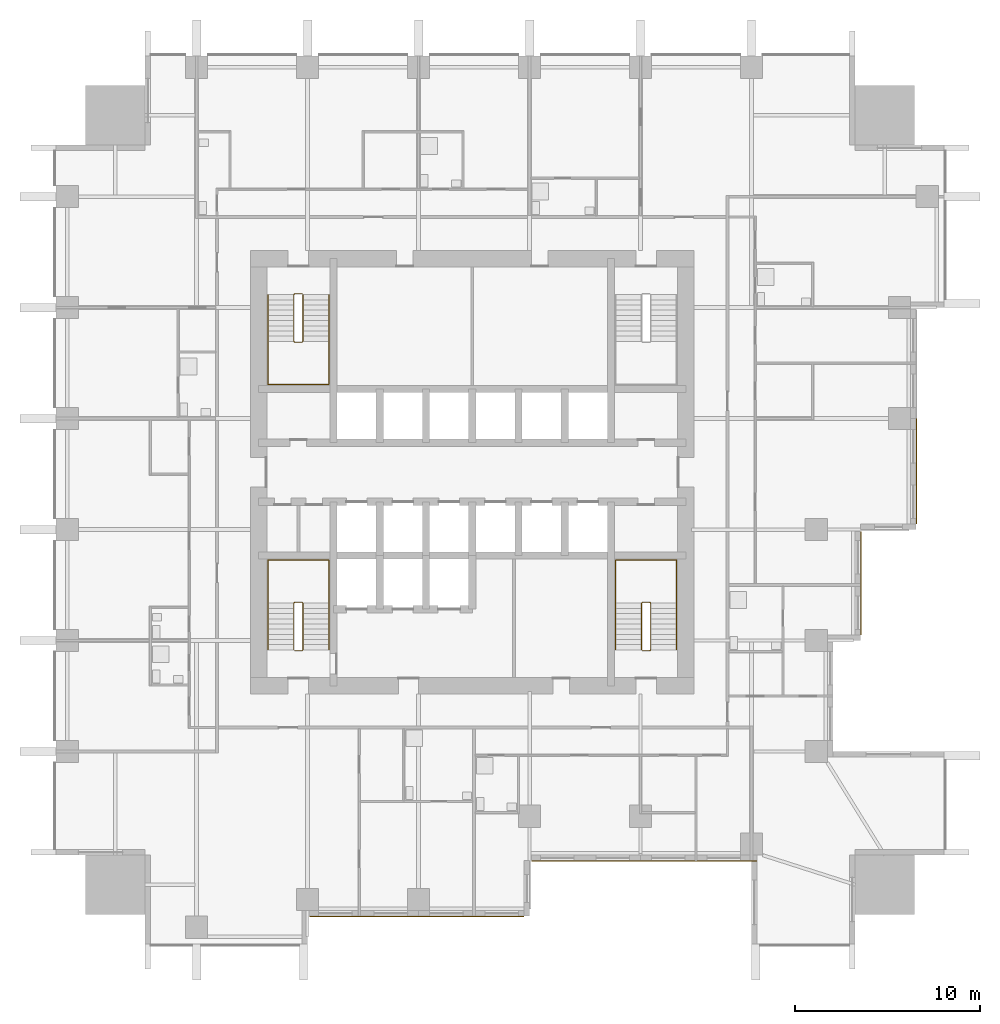
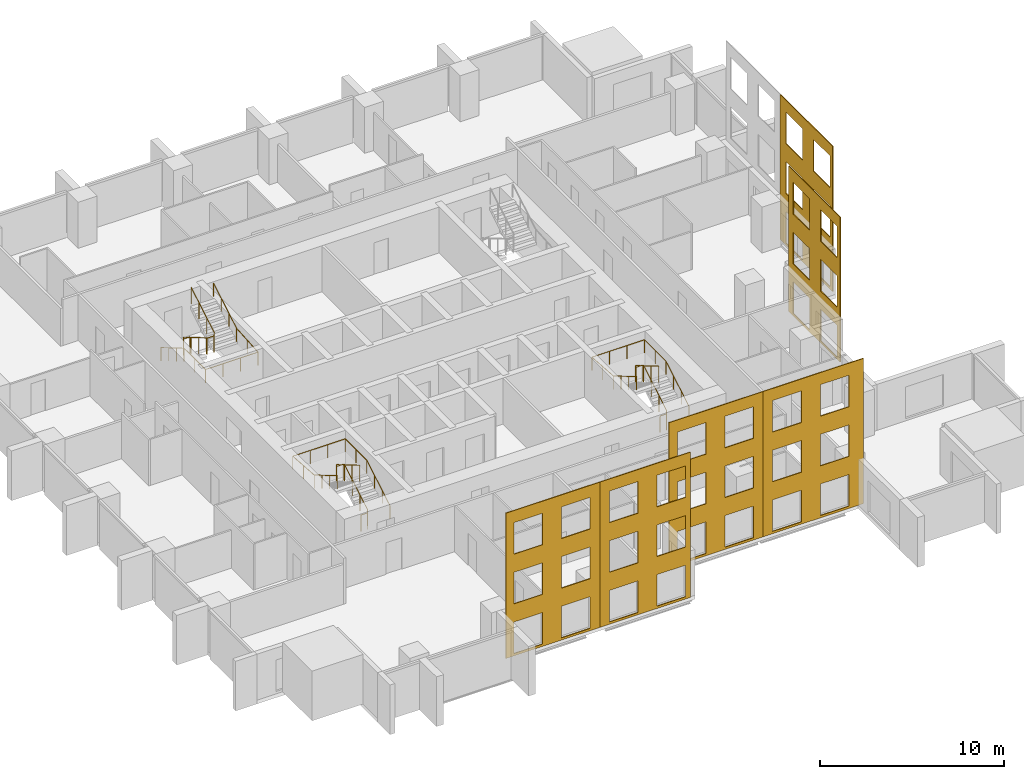
# One storey, part 9 of 11: 6 coverings, 6 railings.
"""IFC4 building model written with IfcOpenShell, lengths in metres."""

from ifc_helpers import new_model, si_unit, direction, frame, origin, origin_2d, place, context, subcontext, project, spatial, polyline, circle, outline, extrude, material, layer, layer_set, type_object, element, save


model = new_model("IFC4")

# Units and contexts
model_context = context("Model", 3, precision=1e-05, world=origin(), true_north=direction((0.0, 1.0)))
body_context = subcontext(model_context, "Body", "Model", "MODEL_VIEW")
ifc_project = project(units=[si_unit("LENGTHUNIT", "METRE"), si_unit("AREAUNIT", "SQUARE_METRE"), si_unit("VOLUMEUNIT", "CUBIC_METRE"), si_unit("PLANEANGLEUNIT", "RADIAN"), si_unit("MASSUNIT", "GRAM", prefix="KILO")], contexts=[model_context])

# Site, building, storey
site_placement = place(None, origin())
site = spatial("IfcSite", under=ifc_project, at=site_placement, CompositionType="ELEMENT")
building_placement = place(site_placement, origin())
building = spatial("IfcBuilding", under=site, at=building_placement, Name="Amberfall Residences", CompositionType="ELEMENT")
storey_placement = place(building_placement, frame((0.0, 0.0, 33.39990234375)))
storey = spatial("IfcBuildingStorey", under=building, at=storey_placement, Name="L08", CompositionType="ELEMENT", Elevation=33.39990234375)

# Coverings
ifc_material_1 = material(Name="Pale limestone cladding", Category="masonry")
ifc_layer = layer(ifc_material_1, 0.050048828125)
ifc_layer_set = layer_set([ifc_layer], Name="Limestone fascia 50")
covering_type = type_object("IfcCoveringType", Name="Limestone fascia 50", PredefinedType="CLADDING", material=ifc_layer_set)
covering_1_placement = place(storey_placement, frame((65.68994140625, 21.5, 9.650146484375), z_axis=(0.0, 1.0, 0.0), x_axis=(1.0, 0.0, 0.0)))
element("IfcCovering", 1, at=covering_1_placement, inside=storey, type_object=covering_type, Name="Pale limestone cladding L08-L10 S", PredefinedType="CLADDING", context=body_context, shape_type="SweptSolid", body=[
    extrude(outline(polyline([(0.0, 0.0), (5.91015625, 0.0), (5.91015625, 9.650146484375), (0.0, 9.650146484375), (0.0, 0.0)]), holes=[polyline([(0.510009765625, 7.400146484375), (2.31005859375, 7.400146484375), (2.31005859375, 9.5), (0.510009765625, 9.5), (0.510009765625, 7.400146484375)]), polyline([(3.510009765625, 7.400146484375), (5.31005859375, 7.400146484375), (5.31005859375, 9.5), (3.510009765625, 9.5), (3.510009765625, 7.400146484375)]), polyline([(0.510009765625, 4.10009765625), (2.31005859375, 4.10009765625), (2.31005859375, 6.199951171875), (0.510009765625, 6.199951171875), (0.510009765625, 4.10009765625)]), polyline([(3.510009765625, 4.10009765625), (5.31005859375, 4.10009765625), (5.31005859375, 6.199951171875), (3.510009765625, 6.199951171875), (3.510009765625, 4.10009765625)]), polyline([(0.510009765625, 0.800048828125), (2.31005859375, 0.800048828125), (2.31005859375, 2.900146484375), (0.510009765625, 2.900146484375), (0.510009765625, 0.800048828125)]), polyline([(3.510009765625, 0.800048828125), (5.31005859375, 0.800048828125), (5.31005859375, 2.900146484375), (3.510009765625, 2.900146484375), (3.510009765625, 0.800048828125)])]), origin(), (0.0, 0.0, -1.0), 0.050048828125),
])
covering_2_placement = place(storey_placement, frame((71.60009765625, 21.5, 9.650146484375), z_axis=(0.0, 1.0, 0.0), x_axis=(1.0, 0.0, 0.0)))
element("IfcCovering", 2, at=covering_2_placement, inside=storey, type_object=covering_type, Name="Pale limestone cladding L08-L10 S", PredefinedType="CLADDING", context=body_context, shape_type="SweptSolid", body=[
    extrude(outline(polyline([(0.0, 0.0), (5.699951171875, 0.0), (5.699951171875, 9.650146484375), (0.0, 9.650146484375), (0.0, 0.0)]), holes=[polyline([(0.599853515625, 7.400146484375), (2.39990234375, 7.400146484375), (2.39990234375, 9.5), (0.599853515625, 9.5), (0.599853515625, 7.400146484375)]), polyline([(3.599853515625, 7.400146484375), (5.39990234375, 7.400146484375), (5.39990234375, 9.5), (3.599853515625, 9.5), (3.599853515625, 7.400146484375)]), polyline([(0.599853515625, 4.10009765625), (2.39990234375, 4.10009765625), (2.39990234375, 6.199951171875), (0.599853515625, 6.199951171875), (0.599853515625, 4.10009765625)]), polyline([(3.599853515625, 4.10009765625), (5.39990234375, 4.10009765625), (5.39990234375, 6.199951171875), (3.599853515625, 6.199951171875), (3.599853515625, 4.10009765625)]), polyline([(0.599853515625, 0.800048828125), (2.39990234375, 0.800048828125), (2.39990234375, 2.900146484375), (0.599853515625, 2.900146484375), (0.599853515625, 0.800048828125)]), polyline([(3.599853515625, 0.800048828125), (5.39990234375, 0.800048828125), (5.39990234375, 2.900146484375), (3.599853515625, 2.900146484375), (3.599853515625, 0.800048828125)])]), origin(), (0.0, 0.0, -1.0), 0.050048828125),
])
covering_3_placement = place(storey_placement, frame((98.5, 42.699951171875, 9.650146484375), z_axis=(-1.0, 0.0, 0.0), x_axis=(0.0, 1.0, 0.0)))
element("IfcCovering", 3, at=covering_3_placement, inside=storey, type_object=covering_type, Name="Pale limestone cladding L08-L10 E", PredefinedType="CLADDING", context=body_context, shape_type="SweptSolid", body=[
    extrude(outline(polyline([(0.0, 0.0), (5.699951171875, 0.0), (5.699951171875, 9.650146484375), (0.0, 9.650146484375), (0.0, 0.0)]), holes=[polyline([(0.300048828125, 7.400146484375), (2.10009765625, 7.400146484375), (2.10009765625, 9.5), (0.300048828125, 9.5), (0.300048828125, 7.400146484375)]), polyline([(3.300048828125, 7.400146484375), (5.10009765625, 7.400146484375), (5.10009765625, 9.5), (3.300048828125, 9.5), (3.300048828125, 7.400146484375)]), polyline([(0.300048828125, 4.10009765625), (2.10009765625, 4.10009765625), (2.10009765625, 6.199951171875), (0.300048828125, 6.199951171875), (0.300048828125, 4.10009765625)]), polyline([(3.300048828125, 4.10009765625), (5.10009765625, 4.10009765625), (5.10009765625, 6.199951171875), (3.300048828125, 6.199951171875), (3.300048828125, 4.10009765625)]), polyline([(0.300048828125, 0.800048828125), (2.10009765625, 0.800048828125), (2.10009765625, 2.900146484375), (0.300048828125, 2.900146484375), (0.300048828125, 0.800048828125)]), polyline([(3.300048828125, 0.800048828125), (5.10009765625, 0.800048828125), (5.10009765625, 2.900146484375), (3.300048828125, 2.900146484375), (3.300048828125, 0.800048828125)])]), origin(), (0.0, 0.0, -1.0), 0.050048828125),
])
covering_4_placement = place(storey_placement, frame((77.68994140625, 24.5, 9.650146484375), z_axis=(0.0, 1.0, 0.0), x_axis=(1.0, 0.0, 0.0)))
element("IfcCovering", 4, at=covering_4_placement, inside=storey, type_object=covering_type, Name="Pale limestone cladding L08-L10 S", PredefinedType="CLADDING", context=body_context, shape_type="SweptSolid", body=[
    extrude(outline(polyline([(0.0, 0.0), (5.91015625, 0.0), (5.91015625, 9.650146484375), (0.0, 9.650146484375), (0.0, 0.0)]), holes=[polyline([(0.510009765625, 7.400146484375), (2.31005859375, 7.400146484375), (2.31005859375, 9.5), (0.510009765625, 9.5), (0.510009765625, 7.400146484375)]), polyline([(3.510009765625, 7.400146484375), (5.31005859375, 7.400146484375), (5.31005859375, 9.5), (3.510009765625, 9.5), (3.510009765625, 7.400146484375)]), polyline([(0.510009765625, 4.10009765625), (2.31005859375, 4.10009765625), (2.31005859375, 6.199951171875), (0.510009765625, 6.199951171875), (0.510009765625, 4.10009765625)]), polyline([(3.510009765625, 4.10009765625), (5.31005859375, 4.10009765625), (5.31005859375, 6.199951171875), (3.510009765625, 6.199951171875), (3.510009765625, 4.10009765625)]), polyline([(0.510009765625, 0.800048828125), (2.31005859375, 0.800048828125), (2.31005859375, 2.900146484375), (0.510009765625, 2.900146484375), (0.510009765625, 0.800048828125)]), polyline([(3.510009765625, 0.800048828125), (5.31005859375, 0.800048828125), (5.31005859375, 2.900146484375), (3.510009765625, 2.900146484375), (3.510009765625, 0.800048828125)])]), origin(), (0.0, 0.0, -1.0), 0.050048828125),
])
covering_5_placement = place(storey_placement, frame((83.60009765625, 24.5, 9.650146484375), z_axis=(0.0, 1.0, 0.0), x_axis=(1.0, 0.0, 0.0)))
element("IfcCovering", 5, at=covering_5_placement, inside=storey, type_object=covering_type, Name="Pale limestone cladding L08-L10 S", PredefinedType="CLADDING", context=body_context, shape_type="SweptSolid", body=[
    extrude(outline(polyline([(0.0, 0.0), (6.2998046875, 0.0), (6.2998046875, 9.650146484375), (0.0, 9.650146484375), (0.0, 0.0)]), holes=[polyline([(0.599853515625, 7.400146484375), (2.39990234375, 7.400146484375), (2.39990234375, 9.5), (0.599853515625, 9.5), (0.599853515625, 7.400146484375)]), polyline([(3.599853515625, 7.400146484375), (5.39990234375, 7.400146484375), (5.39990234375, 9.5), (3.599853515625, 9.5), (3.599853515625, 7.400146484375)]), polyline([(0.599853515625, 4.10009765625), (2.39990234375, 4.10009765625), (2.39990234375, 6.199951171875), (0.599853515625, 6.199951171875), (0.599853515625, 4.10009765625)]), polyline([(3.599853515625, 4.10009765625), (5.39990234375, 4.10009765625), (5.39990234375, 6.199951171875), (3.599853515625, 6.199951171875), (3.599853515625, 4.10009765625)]), polyline([(0.599853515625, 0.800048828125), (2.39990234375, 0.800048828125), (2.39990234375, 2.900146484375), (0.599853515625, 2.900146484375), (0.599853515625, 0.800048828125)]), polyline([(3.599853515625, 0.800048828125), (5.39990234375, 0.800048828125), (5.39990234375, 2.900146484375), (3.599853515625, 2.900146484375), (3.599853515625, 0.800048828125)])]), origin(), (0.0, 0.0, -1.0), 0.050048828125),
])
covering_6_placement = place(storey_placement, frame((95.5, 36.699951171875, 9.650146484375), z_axis=(-1.0, 0.0, 0.0), x_axis=(0.0, 1.0, 0.0)))
element("IfcCovering", 6, at=covering_6_placement, inside=storey, type_object=covering_type, Name="Pale limestone cladding L08-L10 E", PredefinedType="CLADDING", context=body_context, shape_type="SweptSolid", body=[
    extrude(outline(polyline([(0.0, 0.0), (5.610107421875, 0.0), (5.610107421875, 9.650146484375), (0.0, 9.650146484375), (0.0, 0.0)]), holes=[polyline([(0.300048828125, 7.400146484375), (2.10009765625, 7.400146484375), (2.10009765625, 9.5), (0.300048828125, 9.5), (0.300048828125, 7.400146484375)]), polyline([(3.300048828125, 7.400146484375), (5.10009765625, 7.400146484375), (5.10009765625, 9.5), (3.300048828125, 9.5), (3.300048828125, 7.400146484375)]), polyline([(0.300048828125, 4.10009765625), (2.10009765625, 4.10009765625), (2.10009765625, 6.199951171875), (0.300048828125, 6.199951171875), (0.300048828125, 4.10009765625)]), polyline([(3.300048828125, 4.10009765625), (5.10009765625, 4.10009765625), (5.10009765625, 6.199951171875), (3.300048828125, 6.199951171875), (3.300048828125, 4.10009765625)]), polyline([(0.300048828125, 0.800048828125), (2.10009765625, 0.800048828125), (2.10009765625, 2.900146484375), (0.300048828125, 2.900146484375), (0.300048828125, 0.800048828125)]), polyline([(3.300048828125, 0.800048828125), (5.10009765625, 0.800048828125), (5.10009765625, 2.900146484375), (3.300048828125, 2.900146484375), (3.300048828125, 0.800048828125)])]), origin(), (0.0, 0.0, -1.0), 0.050048828125),
])

# Railings
ifc_material_2 = material(Name="Stainless steel 316", Category="steel")
railing_type_1 = type_object("IfcRailingType", Name="Stair guard 1100", PredefinedType="GUARDRAIL", material=ifc_material_2)
railing_1_placement = place(storey_placement, frame((64.89990234375, 35.85009765625, 0.0)))
element("IfcRailing", 7, at=railing_1_placement, inside=storey, type_object=railing_type_1, Name="L08 stair 1 guard", PredefinedType="GUARDRAIL", context=body_context, shape_type="SweptSolid", body=[
    extrude(circle(Radius=0.02392578125, at=origin_2d()), frame((0.0, 0.0, 1.076171875), z_axis=(1.0, 0.0, 0.0), x_axis=(0.0, 1.0, 0.0)), (0.0, 0.0, 1.0), 0.400146484375),
    extrude(circle(Radius=0.02392578125, at=origin_2d()), frame((0.400146484375, 0.0, 1.076171875), z_axis=(0.278810427259, 0.277450376394, 0.919394384522), x_axis=(-0.705375805398, 0.708833529934, 0.0)), (0.0, 0.0, 1.0), 0.179443359375),
    extrude(circle(Radius=0.02392578125, at=origin_2d()), frame((0.4501953125, 0.0498046875, 1.2412109375), z_axis=(0.0, 0.86152411907, 0.507716645641), x_axis=(-1.0, 0.0, 0.0)), (0.0, 0.0, 1.0), 2.925048828125),
    extrude(circle(Radius=0.02392578125, at=origin_2d()), frame((0.4501953125, 2.56982421875, 2.72607421875), z_axis=(-0.707106781187, 0.707106781187, 0.0), x_axis=(-0.707106781187, -0.707106781187, 0.0)), (0.0, 0.0, 1.0), 0.07080078125),
    extrude(circle(Radius=0.02392578125, at=origin_2d()), frame((0.400146484375, 2.619873046875, 2.72607421875), z_axis=(-1.0, 0.0, 0.0), x_axis=(0.0, -1.0, 0.0)), (0.0, 0.0, 1.0), 0.400146484375),
    extrude(circle(Radius=0.02392578125, at=origin_2d()), frame((0.0, 2.619873046875, 2.72607421875), z_axis=(-0.277450376394, -0.278810427259, 0.919394384522), x_axis=(0.708833529934, -0.705375805398, 0.0)), (0.0, 0.0, 1.0), 0.179443359375),
    extrude(circle(Radius=0.02392578125, at=origin_2d()), frame((-0.0498046875, 2.56982421875, 2.89111328125), z_axis=(0.0, -0.861560626758, 0.507654692109), x_axis=(1.0, 0.0, 0.0)), (0.0, 0.0, 1.0), 2.925048828125),
    extrude(circle(Radius=0.02099609375, at=origin_2d()), origin(), (0.0, 0.0, 1.0), 1.052001953125),
    extrude(circle(Radius=0.02099609375, at=origin_2d()), frame((0.400146484375, 0.0, 0.0)), (0.0, 0.0, 1.0), 1.052001953125),
    extrude(circle(Radius=0.02099609375, at=origin_2d()), frame((0.4501953125, 0.0498046875, 0.1650390625)), (0.0, 0.0, 1.0), 1.052001953125),
    extrude(circle(Radius=0.02099609375, at=origin_2d()), frame((0.4501953125, 0.889892578125, 0.66015625)), (0.0, 0.0, 1.0), 1.052001953125),
    extrude(circle(Radius=0.02099609375, at=origin_2d()), frame((0.4501953125, 1.729736328125, 1.155029296875)), (0.0, 0.0, 1.0), 1.052001953125),
    extrude(circle(Radius=0.02099609375, at=origin_2d()), frame((0.4501953125, 2.56982421875, 1.650146484375)), (0.0, 0.0, 1.0), 1.052001953125),
    extrude(circle(Radius=0.02099609375, at=origin_2d()), frame((0.400146484375, 2.619873046875, 1.650146484375)), (0.0, 0.0, 1.0), 1.052001953125),
    extrude(circle(Radius=0.02099609375, at=origin_2d()), frame((0.0, 2.619873046875, 1.650146484375)), (0.0, 0.0, 1.0), 1.052001953125),
    extrude(circle(Radius=0.02099609375, at=origin_2d()), frame((-0.0498046875, 2.56982421875, 1.815185546875)), (0.0, 0.0, 1.0), 1.052001953125),
    extrude(circle(Radius=0.02099609375, at=origin_2d()), frame((-0.0498046875, 1.729736328125, 2.31005859375)), (0.0, 0.0, 1.0), 1.052001953125),
    extrude(circle(Radius=0.02099609375, at=origin_2d()), frame((-0.0498046875, 0.889892578125, 2.80517578125)), (0.0, 0.0, 1.0), 1.052001953125),
    extrude(circle(Radius=0.02099609375, at=origin_2d()), frame((-0.0498046875, 0.0498046875, 3.300048828125)), (0.0, 0.0, 1.0), 1.052001953125),
])
railing_2_placement = place(storey_placement, frame((83.699951171875, 35.85009765625, 0.0)))
element("IfcRailing", 8, at=railing_2_placement, inside=storey, type_object=railing_type_1, Name="L08 stair 2 guard", PredefinedType="GUARDRAIL", context=body_context, shape_type="SweptSolid", body=[
    extrude(circle(Radius=0.02392578125, at=origin_2d()), frame((0.0, 0.0, 1.076171875), z_axis=(1.0, 0.0, 0.0), x_axis=(0.0, 1.0, 0.0)), (0.0, 0.0, 1.0), 0.400146484375),
    extrude(circle(Radius=0.02392578125, at=origin_2d()), frame((0.400146484375, 0.0, 1.076171875), z_axis=(0.27755538755, 0.27755538755, 0.919742362667), x_axis=(-0.707106781187, 0.707106781187, 0.0)), (0.0, 0.0, 1.0), 0.179443359375),
    extrude(circle(Radius=0.02392578125, at=origin_2d()), frame((0.449951171875, 0.0498046875, 1.2412109375), z_axis=(0.0, 0.86152411907, 0.507716645641), x_axis=(-1.0, 0.0, 0.0)), (0.0, 0.0, 1.0), 2.925048828125),
    extrude(circle(Radius=0.02392578125, at=origin_2d()), frame((0.449951171875, 2.56982421875, 2.72607421875), z_axis=(-0.705375805398, 0.708833529934, 0.0), x_axis=(-0.708833529934, -0.705375805398, 0.0)), (0.0, 0.0, 1.0), 0.070556640625),
    extrude(circle(Radius=0.02392578125, at=origin_2d()), frame((0.400146484375, 2.619873046875, 2.72607421875), z_axis=(-1.0, 0.0, 0.0), x_axis=(0.0, -1.0, 0.0)), (0.0, 0.0, 1.0), 0.400146484375),
    extrude(circle(Radius=0.02392578125, at=origin_2d()), frame((0.0, 2.619873046875, 2.72607421875), z_axis=(-0.278705021027, -0.278705021027, 0.919046801044), x_axis=(0.707106781187, -0.707106781187, 0.0)), (0.0, 0.0, 1.0), 0.1796875),
    extrude(circle(Radius=0.02392578125, at=origin_2d()), frame((-0.050048828125, 2.56982421875, 2.89111328125), z_axis=(0.0, -0.861560626758, 0.507654692109), x_axis=(1.0, 0.0, 0.0)), (0.0, 0.0, 1.0), 2.925048828125),
    extrude(circle(Radius=0.02099609375, at=origin_2d()), origin(), (0.0, 0.0, 1.0), 1.052001953125),
    extrude(circle(Radius=0.02099609375, at=origin_2d()), frame((0.400146484375, 0.0, 0.0)), (0.0, 0.0, 1.0), 1.052001953125),
    extrude(circle(Radius=0.02099609375, at=origin_2d()), frame((0.449951171875, 0.0498046875, 0.1650390625)), (0.0, 0.0, 1.0), 1.052001953125),
    extrude(circle(Radius=0.02099609375, at=origin_2d()), frame((0.449951171875, 0.889892578125, 0.66015625)), (0.0, 0.0, 1.0), 1.052001953125),
    extrude(circle(Radius=0.02099609375, at=origin_2d()), frame((0.449951171875, 1.729736328125, 1.155029296875)), (0.0, 0.0, 1.0), 1.052001953125),
    extrude(circle(Radius=0.02099609375, at=origin_2d()), frame((0.449951171875, 2.56982421875, 1.650146484375)), (0.0, 0.0, 1.0), 1.052001953125),
    extrude(circle(Radius=0.02099609375, at=origin_2d()), frame((0.400146484375, 2.619873046875, 1.650146484375)), (0.0, 0.0, 1.0), 1.052001953125),
    extrude(circle(Radius=0.02099609375, at=origin_2d()), frame((0.0, 2.619873046875, 1.650146484375)), (0.0, 0.0, 1.0), 1.052001953125),
    extrude(circle(Radius=0.02099609375, at=origin_2d()), frame((-0.050048828125, 2.56982421875, 1.815185546875)), (0.0, 0.0, 1.0), 1.052001953125),
    extrude(circle(Radius=0.02099609375, at=origin_2d()), frame((-0.050048828125, 1.729736328125, 2.31005859375)), (0.0, 0.0, 1.0), 1.052001953125),
    extrude(circle(Radius=0.02099609375, at=origin_2d()), frame((-0.050048828125, 0.889892578125, 2.80517578125)), (0.0, 0.0, 1.0), 1.052001953125),
    extrude(circle(Radius=0.02099609375, at=origin_2d()), frame((-0.050048828125, 0.0498046875, 3.300048828125)), (0.0, 0.0, 1.0), 1.052001953125),
])
railing_3_placement = place(storey_placement, frame((65.300048828125, 55.14990234375, 0.0)))
element("IfcRailing", 9, at=railing_3_placement, inside=storey, type_object=railing_type_1, Name="L08 stair 4 guard", PredefinedType="GUARDRAIL", context=body_context, shape_type="SweptSolid", body=[
    extrude(circle(Radius=0.02392578125, at=origin_2d()), frame((0.0, 0.0, 1.076171875), z_axis=(-1.0, 0.0, 0.0), x_axis=(0.0, -1.0, 0.0)), (0.0, 0.0, 1.0), 0.400146484375),
    extrude(circle(Radius=0.02392578125, at=origin_2d()), frame((-0.400146484375, 0.0, 1.076171875), z_axis=(-0.27755538755, -0.27755538755, 0.919742362667), x_axis=(0.707106781187, -0.707106781187, 0.0)), (0.0, 0.0, 1.0), 0.179443359375),
    extrude(circle(Radius=0.02392578125, at=origin_2d()), frame((-0.449951171875, -0.0498046875, 1.2412109375), z_axis=(0.0, -0.86152411907, 0.507716645641), x_axis=(1.0, 0.0, 0.0)), (0.0, 0.0, 1.0), 2.925048828125),
    extrude(circle(Radius=0.02392578125, at=origin_2d()), frame((-0.449951171875, -2.56982421875, 2.72607421875), z_axis=(0.705375805398, -0.708833529934, 0.0), x_axis=(0.708833529934, 0.705375805398, 0.0)), (0.0, 0.0, 1.0), 0.070556640625),
    extrude(circle(Radius=0.02392578125, at=origin_2d()), frame((-0.400146484375, -2.619873046875, 2.72607421875), z_axis=(1.0, 0.0, 0.0), x_axis=(0.0, 1.0, 0.0)), (0.0, 0.0, 1.0), 0.400146484375),
    extrude(circle(Radius=0.02392578125, at=origin_2d()), frame((0.0, -2.619873046875, 2.72607421875), z_axis=(0.278705021027, 0.278705021027, 0.919046801044), x_axis=(-0.707106781187, 0.707106781187, 0.0)), (0.0, 0.0, 1.0), 0.1796875),
    extrude(circle(Radius=0.02392578125, at=origin_2d()), frame((0.050048828125, -2.56982421875, 2.89111328125), z_axis=(0.0, 0.861560626758, 0.507654692109), x_axis=(-1.0, 0.0, 0.0)), (0.0, 0.0, 1.0), 2.925048828125),
    extrude(circle(Radius=0.02099609375, at=origin_2d()), origin(), (0.0, 0.0, 1.0), 1.052001953125),
    extrude(circle(Radius=0.02099609375, at=origin_2d()), frame((-0.400146484375, 0.0, 0.0)), (0.0, 0.0, 1.0), 1.052001953125),
    extrude(circle(Radius=0.02099609375, at=origin_2d()), frame((-0.449951171875, -0.0498046875, 0.1650390625)), (0.0, 0.0, 1.0), 1.052001953125),
    extrude(circle(Radius=0.02099609375, at=origin_2d()), frame((-0.449951171875, -0.889892578125, 0.66015625)), (0.0, 0.0, 1.0), 1.052001953125),
    extrude(circle(Radius=0.02099609375, at=origin_2d()), frame((-0.449951171875, -1.729736328125, 1.155029296875)), (0.0, 0.0, 1.0), 1.052001953125),
    extrude(circle(Radius=0.02099609375, at=origin_2d()), frame((-0.449951171875, -2.56982421875, 1.650146484375)), (0.0, 0.0, 1.0), 1.052001953125),
    extrude(circle(Radius=0.02099609375, at=origin_2d()), frame((-0.400146484375, -2.619873046875, 1.650146484375)), (0.0, 0.0, 1.0), 1.052001953125),
    extrude(circle(Radius=0.02099609375, at=origin_2d()), frame((0.0, -2.619873046875, 1.650146484375)), (0.0, 0.0, 1.0), 1.052001953125),
    extrude(circle(Radius=0.02099609375, at=origin_2d()), frame((0.050048828125, -2.56982421875, 1.815185546875)), (0.0, 0.0, 1.0), 1.052001953125),
    extrude(circle(Radius=0.02099609375, at=origin_2d()), frame((0.050048828125, -1.729736328125, 2.31005859375)), (0.0, 0.0, 1.0), 1.052001953125),
    extrude(circle(Radius=0.02099609375, at=origin_2d()), frame((0.050048828125, -0.889892578125, 2.80517578125)), (0.0, 0.0, 1.0), 1.052001953125),
    extrude(circle(Radius=0.02099609375, at=origin_2d()), frame((0.050048828125, -0.0498046875, 3.300048828125)), (0.0, 0.0, 1.0), 1.052001953125),
])
railing_type_2 = type_object("IfcRailingType", Name="Stair handrail 900", PredefinedType="HANDRAIL", material=ifc_material_2)
railing_4_placement = place(storey_placement, frame((66.75, 35.89990234375, 0.1650390625)))
element("IfcRailing", 10, at=railing_4_placement, inside=storey, type_object=railing_type_2, Name="L08 stair 1 handrail", PredefinedType="HANDRAIL", context=body_context, shape_type="SweptSolid", body=[
    extrude(circle(Radius=0.02392578125, at=origin_2d()), frame((0.0, 0.0, 0.8759765625), z_axis=(0.0, 0.86152411907, 0.507716645641), x_axis=(-1.0, 0.0, 0.0)), (0.0, 0.0, 1.0), 2.925048828125),
    extrude(circle(Radius=0.02392578125, at=origin_2d()), frame((0.0, 2.52001953125, 2.36083984375), z_axis=(0.0, 1.0, 0.0), x_axis=(-1.0, 0.0, 0.0)), (0.0, 0.0, 1.0), 2.330078125),
    extrude(circle(Radius=0.02392578125, at=origin_2d()), frame((0.0, 4.85009765625, 2.36083984375), z_axis=(-1.0, 0.0, 0.0), x_axis=(0.0, -1.0, 0.0)), (0.0, 0.0, 1.0), 3.300048828125),
    extrude(circle(Radius=0.02392578125, at=origin_2d()), frame((-3.300048828125, 4.85009765625, 2.36083984375), z_axis=(0.0, -0.997500965899, 0.07065283455), x_axis=(1.0, 0.0, 0.0)), (0.0, 0.0, 1.0), 2.3359375),
    extrude(circle(Radius=0.02392578125, at=origin_2d()), frame((-3.300048828125, 2.52001953125, 2.52587890625), z_axis=(0.0, -0.861560626758, 0.507654692109), x_axis=(1.0, 0.0, 0.0)), (0.0, 0.0, 1.0), 2.925048828125),
    extrude(circle(Radius=0.02099609375, at=origin_2d()), origin(), (0.0, 0.0, 1.0), 0.851806640625),
    extrude(circle(Radius=0.02099609375, at=origin_2d()), frame((0.0, 0.840087890625, 0.4951171875)), (0.0, 0.0, 1.0), 0.851806640625),
    extrude(circle(Radius=0.02099609375, at=origin_2d()), frame((0.0, 1.679931640625, 0.989990234375)), (0.0, 0.0, 1.0), 0.851806640625),
    extrude(circle(Radius=0.02099609375, at=origin_2d()), frame((0.0, 2.52001953125, 1.485107421875)), (0.0, 0.0, 1.0), 0.851806640625),
    extrude(circle(Radius=0.02099609375, at=origin_2d()), frame((0.0, 3.68505859375, 1.485107421875)), (0.0, 0.0, 1.0), 0.851806640625),
    extrude(circle(Radius=0.02099609375, at=origin_2d()), frame((0.0, 4.85009765625, 1.485107421875)), (0.0, 0.0, 1.0), 0.851806640625),
    extrude(circle(Radius=0.02099609375, at=origin_2d()), frame((-1.10009765625, 4.85009765625, 1.485107421875)), (0.0, 0.0, 1.0), 0.851806640625),
    extrude(circle(Radius=0.02099609375, at=origin_2d()), frame((-2.199951171875, 4.85009765625, 1.485107421875)), (0.0, 0.0, 1.0), 0.851806640625),
    extrude(circle(Radius=0.02099609375, at=origin_2d()), frame((-3.300048828125, 4.85009765625, 1.485107421875)), (0.0, 0.0, 1.0), 0.851806640625),
    extrude(circle(Radius=0.02099609375, at=origin_2d()), frame((-3.300048828125, 3.68505859375, 1.567626953125)), (0.0, 0.0, 1.0), 0.851806640625),
    extrude(circle(Radius=0.02099609375, at=origin_2d()), frame((-3.300048828125, 2.52001953125, 1.650146484375)), (0.0, 0.0, 1.0), 0.851806640625),
    extrude(circle(Radius=0.02099609375, at=origin_2d()), frame((-3.300048828125, 1.679931640625, 2.14501953125)), (0.0, 0.0, 1.0), 0.851806640625),
    extrude(circle(Radius=0.02099609375, at=origin_2d()), frame((-3.300048828125, 0.840087890625, 2.64013671875)), (0.0, 0.0, 1.0), 0.851806640625),
    extrude(circle(Radius=0.02099609375, at=origin_2d()), frame((-3.300048828125, 0.0, 3.135009765625)), (0.0, 0.0, 1.0), 0.851806640625),
])
railing_5_placement = place(storey_placement, frame((85.550048828125, 35.89990234375, 0.1650390625)))
element("IfcRailing", 11, at=railing_5_placement, inside=storey, type_object=railing_type_2, Name="L08 stair 2 handrail", PredefinedType="HANDRAIL", context=body_context, shape_type="SweptSolid", body=[
    extrude(circle(Radius=0.02392578125, at=origin_2d()), frame((0.0, 0.0, 0.8759765625), z_axis=(0.0, 0.86152411907, 0.507716645641), x_axis=(-1.0, 0.0, 0.0)), (0.0, 0.0, 1.0), 2.925048828125),
    extrude(circle(Radius=0.02392578125, at=origin_2d()), frame((0.0, 2.52001953125, 2.36083984375), z_axis=(0.0, 1.0, 0.0), x_axis=(-1.0, 0.0, 0.0)), (0.0, 0.0, 1.0), 2.330078125),
    extrude(circle(Radius=0.02392578125, at=origin_2d()), frame((0.0, 4.85009765625, 2.36083984375), z_axis=(-1.0, 0.0, 0.0), x_axis=(0.0, -1.0, 0.0)), (0.0, 0.0, 1.0), 3.300048828125),
    extrude(circle(Radius=0.02392578125, at=origin_2d()), frame((-3.300048828125, 4.85009765625, 2.36083984375), z_axis=(0.0, -0.997500965899, 0.07065283455), x_axis=(1.0, 0.0, 0.0)), (0.0, 0.0, 1.0), 2.3359375),
    extrude(circle(Radius=0.02392578125, at=origin_2d()), frame((-3.300048828125, 2.52001953125, 2.52587890625), z_axis=(0.0, -0.861560626758, 0.507654692109), x_axis=(1.0, 0.0, 0.0)), (0.0, 0.0, 1.0), 2.925048828125),
    extrude(circle(Radius=0.02099609375, at=origin_2d()), origin(), (0.0, 0.0, 1.0), 0.851806640625),
    extrude(circle(Radius=0.02099609375, at=origin_2d()), frame((0.0, 0.840087890625, 0.4951171875)), (0.0, 0.0, 1.0), 0.851806640625),
    extrude(circle(Radius=0.02099609375, at=origin_2d()), frame((0.0, 1.679931640625, 0.989990234375)), (0.0, 0.0, 1.0), 0.851806640625),
    extrude(circle(Radius=0.02099609375, at=origin_2d()), frame((0.0, 2.52001953125, 1.485107421875)), (0.0, 0.0, 1.0), 0.851806640625),
    extrude(circle(Radius=0.02099609375, at=origin_2d()), frame((0.0, 3.68505859375, 1.485107421875)), (0.0, 0.0, 1.0), 0.851806640625),
    extrude(circle(Radius=0.02099609375, at=origin_2d()), frame((0.0, 4.85009765625, 1.485107421875)), (0.0, 0.0, 1.0), 0.851806640625),
    extrude(circle(Radius=0.02099609375, at=origin_2d()), frame((-1.10009765625, 4.85009765625, 1.485107421875)), (0.0, 0.0, 1.0), 0.851806640625),
    extrude(circle(Radius=0.02099609375, at=origin_2d()), frame((-2.199951171875, 4.85009765625, 1.485107421875)), (0.0, 0.0, 1.0), 0.851806640625),
    extrude(circle(Radius=0.02099609375, at=origin_2d()), frame((-3.300048828125, 4.85009765625, 1.485107421875)), (0.0, 0.0, 1.0), 0.851806640625),
    extrude(circle(Radius=0.02099609375, at=origin_2d()), frame((-3.300048828125, 3.68505859375, 1.567626953125)), (0.0, 0.0, 1.0), 0.851806640625),
    extrude(circle(Radius=0.02099609375, at=origin_2d()), frame((-3.300048828125, 2.52001953125, 1.650146484375)), (0.0, 0.0, 1.0), 0.851806640625),
    extrude(circle(Radius=0.02099609375, at=origin_2d()), frame((-3.300048828125, 1.679931640625, 2.14501953125)), (0.0, 0.0, 1.0), 0.851806640625),
    extrude(circle(Radius=0.02099609375, at=origin_2d()), frame((-3.300048828125, 0.840087890625, 2.64013671875)), (0.0, 0.0, 1.0), 0.851806640625),
    extrude(circle(Radius=0.02099609375, at=origin_2d()), frame((-3.300048828125, 0.0, 3.135009765625)), (0.0, 0.0, 1.0), 0.851806640625),
])
railing_6_placement = place(storey_placement, frame((63.449951171875, 55.10009765625, 0.1650390625)))
element("IfcRailing", 12, at=railing_6_placement, inside=storey, type_object=railing_type_2, Name="L08 stair 4 handrail", PredefinedType="HANDRAIL", context=body_context, shape_type="SweptSolid", body=[
    extrude(circle(Radius=0.02392578125, at=origin_2d()), frame((0.0, 0.0, 0.8759765625), z_axis=(0.0, -0.86152411907, 0.507716645641), x_axis=(1.0, 0.0, 0.0)), (0.0, 0.0, 1.0), 2.925048828125),
    extrude(circle(Radius=0.02392578125, at=origin_2d()), frame((0.0, -2.52001953125, 2.36083984375), z_axis=(0.0, -1.0, 0.0), x_axis=(1.0, 0.0, 0.0)), (0.0, 0.0, 1.0), 2.330078125),
    extrude(circle(Radius=0.02392578125, at=origin_2d()), frame((0.0, -4.85009765625, 2.36083984375), z_axis=(1.0, 0.0, 0.0), x_axis=(0.0, 1.0, 0.0)), (0.0, 0.0, 1.0), 3.300048828125),
    extrude(circle(Radius=0.02392578125, at=origin_2d()), frame((3.300048828125, -4.85009765625, 2.36083984375), z_axis=(0.0, 0.997500965899, 0.07065283455), x_axis=(-1.0, 0.0, 0.0)), (0.0, 0.0, 1.0), 2.3359375),
    extrude(circle(Radius=0.02392578125, at=origin_2d()), frame((3.300048828125, -2.52001953125, 2.52587890625), z_axis=(0.0, 0.861560626758, 0.507654692109), x_axis=(-1.0, 0.0, 0.0)), (0.0, 0.0, 1.0), 2.925048828125),
    extrude(circle(Radius=0.02099609375, at=origin_2d()), origin(), (0.0, 0.0, 1.0), 0.851806640625),
    extrude(circle(Radius=0.02099609375, at=origin_2d()), frame((0.0, -0.840087890625, 0.4951171875)), (0.0, 0.0, 1.0), 0.851806640625),
    extrude(circle(Radius=0.02099609375, at=origin_2d()), frame((0.0, -1.679931640625, 0.989990234375)), (0.0, 0.0, 1.0), 0.851806640625),
    extrude(circle(Radius=0.02099609375, at=origin_2d()), frame((0.0, -2.52001953125, 1.485107421875)), (0.0, 0.0, 1.0), 0.851806640625),
    extrude(circle(Radius=0.02099609375, at=origin_2d()), frame((0.0, -3.68505859375, 1.485107421875)), (0.0, 0.0, 1.0), 0.851806640625),
    extrude(circle(Radius=0.02099609375, at=origin_2d()), frame((0.0, -4.85009765625, 1.485107421875)), (0.0, 0.0, 1.0), 0.851806640625),
    extrude(circle(Radius=0.02099609375, at=origin_2d()), frame((1.10009765625, -4.85009765625, 1.485107421875)), (0.0, 0.0, 1.0), 0.851806640625),
    extrude(circle(Radius=0.02099609375, at=origin_2d()), frame((2.199951171875, -4.85009765625, 1.485107421875)), (0.0, 0.0, 1.0), 0.851806640625),
    extrude(circle(Radius=0.02099609375, at=origin_2d()), frame((3.300048828125, -4.85009765625, 1.485107421875)), (0.0, 0.0, 1.0), 0.851806640625),
    extrude(circle(Radius=0.02099609375, at=origin_2d()), frame((3.300048828125, -3.68505859375, 1.567626953125)), (0.0, 0.0, 1.0), 0.851806640625),
    extrude(circle(Radius=0.02099609375, at=origin_2d()), frame((3.300048828125, -2.52001953125, 1.650146484375)), (0.0, 0.0, 1.0), 0.851806640625),
    extrude(circle(Radius=0.02099609375, at=origin_2d()), frame((3.300048828125, -1.679931640625, 2.14501953125)), (0.0, 0.0, 1.0), 0.851806640625),
    extrude(circle(Radius=0.02099609375, at=origin_2d()), frame((3.300048828125, -0.840087890625, 2.64013671875)), (0.0, 0.0, 1.0), 0.851806640625),
    extrude(circle(Radius=0.02099609375, at=origin_2d()), frame((3.300048828125, 0.0, 3.135009765625)), (0.0, 0.0, 1.0), 0.851806640625),
])

save(model, "model.ifc")
